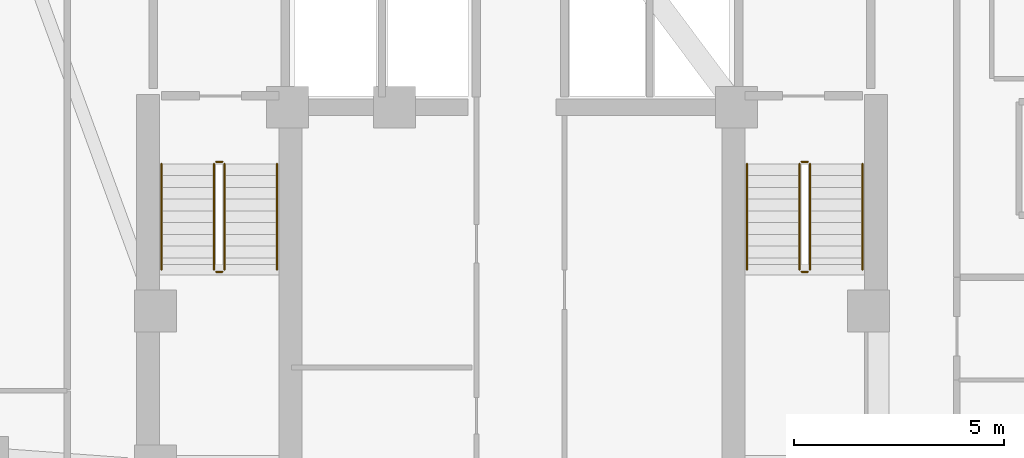
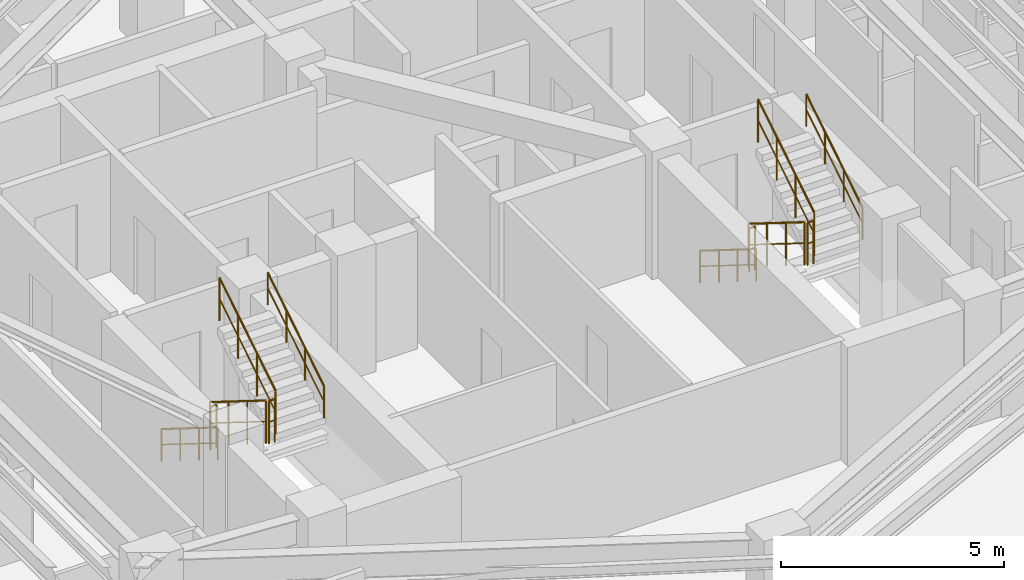
# One storey, part 10 of 10: 12 railings.
"""IFC4 building model written with IfcOpenShell, lengths in metres."""

from ifc_helpers import new_model, si_unit, direction, frame, origin, origin_2d, place, context, subcontext, project, spatial, circle, extrude, material, type_object, element, save


model = new_model("IFC4")

# Units and contexts
model_context = context("Model", 3, precision=1e-05, world=origin(), true_north=direction((0.0, 1.0)))
body_context = subcontext(model_context, "Body", "Model", "MODEL_VIEW")
ifc_project = project(units=[si_unit("LENGTHUNIT", "METRE"), si_unit("AREAUNIT", "SQUARE_METRE"), si_unit("VOLUMEUNIT", "CUBIC_METRE"), si_unit("PLANEANGLEUNIT", "RADIAN"), si_unit("MASSUNIT", "GRAM", prefix="KILO")], contexts=[model_context])

# Site, building, storey
site_placement = place(None, origin())
site = spatial("IfcSite", under=ifc_project, at=site_placement, CompositionType="ELEMENT")
building_placement = place(site_placement, origin())
building = spatial("IfcBuilding", under=site, at=building_placement, Name="Miruveldt Soraemaru", CompositionType="ELEMENT")
storey_placement = place(building_placement, frame((0.0, 0.0, 124.89990234375)))
storey = spatial("IfcBuildingStorey", under=building, at=storey_placement, Name="L34", CompositionType="ELEMENT", Elevation=124.89990234375)

# Railings
ifc_material = material(Name="Steel S355 (355 MPa)", Category="steel")
railing_type_1 = type_object("IfcRailingType", Name="RAIL-HR-900", PredefinedType="HANDRAIL", material=ifc_material)
railing_1_placement = place(storey_placement, frame((35.64990234375, 42.699951171875, 0.175048828125)))
element("IfcRailing", 1, at=railing_1_placement, inside=storey, type_object=railing_type_1, Name="L34 ST-1 stair handrail 1", PredefinedType="HANDRAIL", context=body_context, shape_type="SweptSolid", body=[
    extrude(circle(Radius=0.02392578125, at=origin_2d()), frame((0.0, 0.0, 0.8759765625), z_axis=(0.0, -0.848007534815, 0.529984170421), x_axis=(1.0, 0.0, 0.0)), (0.0, 0.0, 1.0), 2.9716796875),
    extrude(circle(Radius=0.01611328125, at=origin_2d()), frame((0.0, 0.0, 0.449951171875), z_axis=(0.0, -0.848007534815, 0.529984170421), x_axis=(1.0, 0.0, 0.0)), (0.0, 0.0, 1.0), 2.9716796875),
    extrude(circle(Radius=0.02099609375, at=origin_2d()), origin(), (0.0, 0.0, 1.0), 0.851806640625),
    extrude(circle(Radius=0.02099609375, at=origin_2d()), frame((0.0, -0.840087890625, 0.52490234375)), (0.0, 0.0, 1.0), 0.851806640625),
    extrude(circle(Radius=0.02099609375, at=origin_2d()), frame((0.0, -1.679931640625, 1.050048828125)), (0.0, 0.0, 1.0), 0.851806640625),
    extrude(circle(Radius=0.02099609375, at=origin_2d()), frame((0.0, -2.52001953125, 1.574951171875)), (0.0, 0.0, 1.0), 0.851806640625),
])
railing_2_placement = place(storey_placement, frame((38.39990234375, 40.179931640625, 1.925048828125)))
element("IfcRailing", 2, at=railing_2_placement, inside=storey, type_object=railing_type_1, Name="L34 ST-1 stair handrail 2", PredefinedType="HANDRAIL", context=body_context, shape_type="SweptSolid", body=[
    extrude(circle(Radius=0.02392578125, at=origin_2d()), frame((0.0, 0.0, 0.8759765625), z_axis=(0.0, 0.848007534815, 0.529984170421), x_axis=(-1.0, 0.0, 0.0)), (0.0, 0.0, 1.0), 2.9716796875),
    extrude(circle(Radius=0.01611328125, at=origin_2d()), frame((0.0, 0.0, 0.449951171875), z_axis=(0.0, 0.848007534815, 0.529984170421), x_axis=(-1.0, 0.0, 0.0)), (0.0, 0.0, 1.0), 2.9716796875),
    extrude(circle(Radius=0.02099609375, at=origin_2d()), origin(), (0.0, 0.0, 1.0), 0.851806640625),
    extrude(circle(Radius=0.02099609375, at=origin_2d()), frame((0.0, 0.840087890625, 0.52490234375)), (0.0, 0.0, 1.0), 0.851806640625),
    extrude(circle(Radius=0.02099609375, at=origin_2d()), frame((0.0, 1.679931640625, 1.050048828125)), (0.0, 0.0, 1.0), 0.851806640625),
    extrude(circle(Radius=0.02099609375, at=origin_2d()), frame((0.0, 2.52001953125, 1.574951171875)), (0.0, 0.0, 1.0), 0.851806640625),
])
railing_3_placement = place(storey_placement, frame((49.60009765625, 42.699951171875, 0.175048828125)))
element("IfcRailing", 3, at=railing_3_placement, inside=storey, type_object=railing_type_1, Name="L34 ST-2 stair handrail 1", PredefinedType="HANDRAIL", context=body_context, shape_type="SweptSolid", body=[
    extrude(circle(Radius=0.02392578125, at=origin_2d()), frame((0.0, 0.0, 0.8759765625), z_axis=(0.0, -0.848007534815, 0.529984170421), x_axis=(1.0, 0.0, 0.0)), (0.0, 0.0, 1.0), 2.9716796875),
    extrude(circle(Radius=0.01611328125, at=origin_2d()), frame((0.0, 0.0, 0.449951171875), z_axis=(0.0, -0.848007534815, 0.529984170421), x_axis=(1.0, 0.0, 0.0)), (0.0, 0.0, 1.0), 2.9716796875),
    extrude(circle(Radius=0.02099609375, at=origin_2d()), origin(), (0.0, 0.0, 1.0), 0.851806640625),
    extrude(circle(Radius=0.02099609375, at=origin_2d()), frame((0.0, -0.840087890625, 0.52490234375)), (0.0, 0.0, 1.0), 0.851806640625),
    extrude(circle(Radius=0.02099609375, at=origin_2d()), frame((0.0, -1.679931640625, 1.050048828125)), (0.0, 0.0, 1.0), 0.851806640625),
    extrude(circle(Radius=0.02099609375, at=origin_2d()), frame((0.0, -2.52001953125, 1.574951171875)), (0.0, 0.0, 1.0), 0.851806640625),
])
railing_4_placement = place(storey_placement, frame((52.35009765625, 40.179931640625, 1.925048828125)))
element("IfcRailing", 4, at=railing_4_placement, inside=storey, type_object=railing_type_1, Name="L34 ST-2 stair handrail 2", PredefinedType="HANDRAIL", context=body_context, shape_type="SweptSolid", body=[
    extrude(circle(Radius=0.02392578125, at=origin_2d()), frame((0.0, 0.0, 0.8759765625), z_axis=(0.0, 0.848007534815, 0.529984170421), x_axis=(-1.0, 0.0, 0.0)), (0.0, 0.0, 1.0), 2.9716796875),
    extrude(circle(Radius=0.01611328125, at=origin_2d()), frame((0.0, 0.0, 0.449951171875), z_axis=(0.0, 0.848007534815, 0.529984170421), x_axis=(-1.0, 0.0, 0.0)), (0.0, 0.0, 1.0), 2.9716796875),
    extrude(circle(Radius=0.02099609375, at=origin_2d()), origin(), (0.0, 0.0, 1.0), 0.851806640625),
    extrude(circle(Radius=0.02099609375, at=origin_2d()), frame((0.0, 0.840087890625, 0.52490234375)), (0.0, 0.0, 1.0), 0.851806640625),
    extrude(circle(Radius=0.02099609375, at=origin_2d()), frame((0.0, 1.679931640625, 1.050048828125)), (0.0, 0.0, 1.0), 0.851806640625),
    extrude(circle(Radius=0.02099609375, at=origin_2d()), frame((0.0, 2.52001953125, 1.574951171875)), (0.0, 0.0, 1.0), 0.851806640625),
])
railing_type_2 = type_object("IfcRailingType", Name="RAIL-STGUARD-1200", PredefinedType="GUARDRAIL", material=ifc_material)
railing_5_placement = place(storey_placement, frame((36.89990234375, 42.699951171875, 0.175048828125)))
element("IfcRailing", 5, at=railing_5_placement, inside=storey, type_object=railing_type_2, Name="L34 ST-1 stair guard 1", PredefinedType="GUARDRAIL", context=body_context, shape_type="SweptSolid", body=[
    extrude(circle(Radius=0.02392578125, at=origin_2d()), frame((0.0, 0.0, 1.17578125), z_axis=(0.0, -0.848007534815, 0.529984170421), x_axis=(1.0, 0.0, 0.0)), (0.0, 0.0, 1.0), 2.9716796875),
    extrude(circle(Radius=0.01611328125, at=origin_2d()), frame((0.0, 0.0, 0.60009765625), z_axis=(0.0, -0.848007534815, 0.529984170421), x_axis=(1.0, 0.0, 0.0)), (0.0, 0.0, 1.0), 2.9716796875),
    extrude(circle(Radius=0.02099609375, at=origin_2d()), origin(), (0.0, 0.0, 1.0), 1.15185546875),
    extrude(circle(Radius=0.02099609375, at=origin_2d()), frame((0.0, -0.840087890625, 0.52490234375)), (0.0, 0.0, 1.0), 1.15185546875),
    extrude(circle(Radius=0.02099609375, at=origin_2d()), frame((0.0, -1.679931640625, 1.050048828125)), (0.0, 0.0, 1.0), 1.15185546875),
    extrude(circle(Radius=0.02099609375, at=origin_2d()), frame((0.0, -2.52001953125, 1.574951171875)), (0.0, 0.0, 1.0), 1.15185546875),
])
railing_6_placement = place(storey_placement, frame((36.949951171875, 40.1298828125, 1.75)))
element("IfcRailing", 6, at=railing_6_placement, inside=storey, type_object=railing_type_2, Name="L34 ST-1 stair guard 2", PredefinedType="GUARDRAIL", context=body_context, shape_type="SweptSolid", body=[
    extrude(circle(Radius=0.02392578125, at=origin_2d()), frame((0.0, 0.0, 1.17578125), z_axis=(1.0, 0.0, 0.0), x_axis=(0.0, 1.0, 0.0)), (0.0, 0.0, 1.0), 0.150146484375),
    extrude(circle(Radius=0.01611328125, at=origin_2d()), frame((0.0, 0.0, 0.60009765625), z_axis=(1.0, 0.0, 0.0), x_axis=(0.0, 1.0, 0.0)), (0.0, 0.0, 1.0), 0.150146484375),
    extrude(circle(Radius=0.02099609375, at=origin_2d()), origin(), (0.0, 0.0, 1.0), 1.15185546875),
    extrude(circle(Radius=0.02099609375, at=origin_2d()), frame((0.150146484375, 0.0, 0.0)), (0.0, 0.0, 1.0), 1.15185546875),
])
railing_7_placement = place(storey_placement, frame((37.14990234375, 40.179931640625, 1.925048828125)))
element("IfcRailing", 7, at=railing_7_placement, inside=storey, type_object=railing_type_2, Name="L34 ST-1 stair guard 3", PredefinedType="GUARDRAIL", context=body_context, shape_type="SweptSolid", body=[
    extrude(circle(Radius=0.02392578125, at=origin_2d()), frame((0.0, 0.0, 1.17578125), z_axis=(0.0, 0.848007534815, 0.529984170421), x_axis=(-1.0, 0.0, 0.0)), (0.0, 0.0, 1.0), 2.9716796875),
    extrude(circle(Radius=0.01611328125, at=origin_2d()), frame((0.0, 0.0, 0.60009765625), z_axis=(0.0, 0.848007534815, 0.529984170421), x_axis=(-1.0, 0.0, 0.0)), (0.0, 0.0, 1.0), 2.9716796875),
    extrude(circle(Radius=0.02099609375, at=origin_2d()), origin(), (0.0, 0.0, 1.0), 1.15185546875),
    extrude(circle(Radius=0.02099609375, at=origin_2d()), frame((0.0, 0.840087890625, 0.52490234375)), (0.0, 0.0, 1.0), 1.15185546875),
    extrude(circle(Radius=0.02099609375, at=origin_2d()), frame((0.0, 1.679931640625, 1.050048828125)), (0.0, 0.0, 1.0), 1.15185546875),
    extrude(circle(Radius=0.02099609375, at=origin_2d()), frame((0.0, 2.52001953125, 1.574951171875)), (0.0, 0.0, 1.0), 1.15185546875),
])
railing_8_placement = place(storey_placement, frame((36.949951171875, 42.75, 0.0)))
element("IfcRailing", 8, at=railing_8_placement, inside=storey, type_object=railing_type_2, Name="L34 ST-1 stair guard 4", PredefinedType="GUARDRAIL", context=body_context, shape_type="SweptSolid", body=[
    extrude(circle(Radius=0.02392578125, at=origin_2d()), frame((0.0, 0.0, 1.17578125), z_axis=(1.0, 0.0, 0.0), x_axis=(0.0, 1.0, 0.0)), (0.0, 0.0, 1.0), 0.150146484375),
    extrude(circle(Radius=0.01611328125, at=origin_2d()), frame((0.0, 0.0, 0.60009765625), z_axis=(1.0, 0.0, 0.0), x_axis=(0.0, 1.0, 0.0)), (0.0, 0.0, 1.0), 0.150146484375),
    extrude(circle(Radius=0.02099609375, at=origin_2d()), origin(), (0.0, 0.0, 1.0), 1.15185546875),
    extrude(circle(Radius=0.02099609375, at=origin_2d()), frame((0.150146484375, 0.0, 0.0)), (0.0, 0.0, 1.0), 1.15185546875),
])
railing_9_placement = place(storey_placement, frame((50.85009765625, 42.699951171875, 0.175048828125)))
element("IfcRailing", 9, at=railing_9_placement, inside=storey, type_object=railing_type_2, Name="L34 ST-2 stair guard 1", PredefinedType="GUARDRAIL", context=body_context, shape_type="SweptSolid", body=[
    extrude(circle(Radius=0.02392578125, at=origin_2d()), frame((0.0, 0.0, 1.17578125), z_axis=(0.0, -0.848007534815, 0.529984170421), x_axis=(1.0, 0.0, 0.0)), (0.0, 0.0, 1.0), 2.9716796875),
    extrude(circle(Radius=0.01611328125, at=origin_2d()), frame((0.0, 0.0, 0.60009765625), z_axis=(0.0, -0.848007534815, 0.529984170421), x_axis=(1.0, 0.0, 0.0)), (0.0, 0.0, 1.0), 2.9716796875),
    extrude(circle(Radius=0.02099609375, at=origin_2d()), origin(), (0.0, 0.0, 1.0), 1.15185546875),
    extrude(circle(Radius=0.02099609375, at=origin_2d()), frame((0.0, -0.840087890625, 0.52490234375)), (0.0, 0.0, 1.0), 1.15185546875),
    extrude(circle(Radius=0.02099609375, at=origin_2d()), frame((0.0, -1.679931640625, 1.050048828125)), (0.0, 0.0, 1.0), 1.15185546875),
    extrude(circle(Radius=0.02099609375, at=origin_2d()), frame((0.0, -2.52001953125, 1.574951171875)), (0.0, 0.0, 1.0), 1.15185546875),
])
railing_10_placement = place(storey_placement, frame((50.89990234375, 40.1298828125, 1.75)))
element("IfcRailing", 10, at=railing_10_placement, inside=storey, type_object=railing_type_2, Name="L34 ST-2 stair guard 2", PredefinedType="GUARDRAIL", context=body_context, shape_type="SweptSolid", body=[
    extrude(circle(Radius=0.02392578125, at=origin_2d()), frame((0.0, 0.0, 1.17578125), z_axis=(1.0, 0.0, 0.0), x_axis=(0.0, 1.0, 0.0)), (0.0, 0.0, 1.0), 0.150146484375),
    extrude(circle(Radius=0.01611328125, at=origin_2d()), frame((0.0, 0.0, 0.60009765625), z_axis=(1.0, 0.0, 0.0), x_axis=(0.0, 1.0, 0.0)), (0.0, 0.0, 1.0), 0.150146484375),
    extrude(circle(Radius=0.02099609375, at=origin_2d()), origin(), (0.0, 0.0, 1.0), 1.15185546875),
    extrude(circle(Radius=0.02099609375, at=origin_2d()), frame((0.150146484375, 0.0, 0.0)), (0.0, 0.0, 1.0), 1.15185546875),
])
railing_11_placement = place(storey_placement, frame((51.10009765625, 40.179931640625, 1.925048828125)))
element("IfcRailing", 11, at=railing_11_placement, inside=storey, type_object=railing_type_2, Name="L34 ST-2 stair guard 3", PredefinedType="GUARDRAIL", context=body_context, shape_type="SweptSolid", body=[
    extrude(circle(Radius=0.02392578125, at=origin_2d()), frame((0.0, 0.0, 1.17578125), z_axis=(0.0, 0.848007534815, 0.529984170421), x_axis=(-1.0, 0.0, 0.0)), (0.0, 0.0, 1.0), 2.9716796875),
    extrude(circle(Radius=0.01611328125, at=origin_2d()), frame((0.0, 0.0, 0.60009765625), z_axis=(0.0, 0.848007534815, 0.529984170421), x_axis=(-1.0, 0.0, 0.0)), (0.0, 0.0, 1.0), 2.9716796875),
    extrude(circle(Radius=0.02099609375, at=origin_2d()), origin(), (0.0, 0.0, 1.0), 1.15185546875),
    extrude(circle(Radius=0.02099609375, at=origin_2d()), frame((0.0, 0.840087890625, 0.52490234375)), (0.0, 0.0, 1.0), 1.15185546875),
    extrude(circle(Radius=0.02099609375, at=origin_2d()), frame((0.0, 1.679931640625, 1.050048828125)), (0.0, 0.0, 1.0), 1.15185546875),
    extrude(circle(Radius=0.02099609375, at=origin_2d()), frame((0.0, 2.52001953125, 1.574951171875)), (0.0, 0.0, 1.0), 1.15185546875),
])
railing_12_placement = place(storey_placement, frame((50.89990234375, 42.75, 0.0)))
element("IfcRailing", 12, at=railing_12_placement, inside=storey, type_object=railing_type_2, Name="L34 ST-2 stair guard 4", PredefinedType="GUARDRAIL", context=body_context, shape_type="SweptSolid", body=[
    extrude(circle(Radius=0.02392578125, at=origin_2d()), frame((0.0, 0.0, 1.17578125), z_axis=(1.0, 0.0, 0.0), x_axis=(0.0, 1.0, 0.0)), (0.0, 0.0, 1.0), 0.150146484375),
    extrude(circle(Radius=0.01611328125, at=origin_2d()), frame((0.0, 0.0, 0.60009765625), z_axis=(1.0, 0.0, 0.0), x_axis=(0.0, 1.0, 0.0)), (0.0, 0.0, 1.0), 0.150146484375),
    extrude(circle(Radius=0.02099609375, at=origin_2d()), origin(), (0.0, 0.0, 1.0), 1.15185546875),
    extrude(circle(Radius=0.02099609375, at=origin_2d()), frame((0.150146484375, 0.0, 0.0)), (0.0, 0.0, 1.0), 1.15185546875),
])

save(model, "model.ifc")
